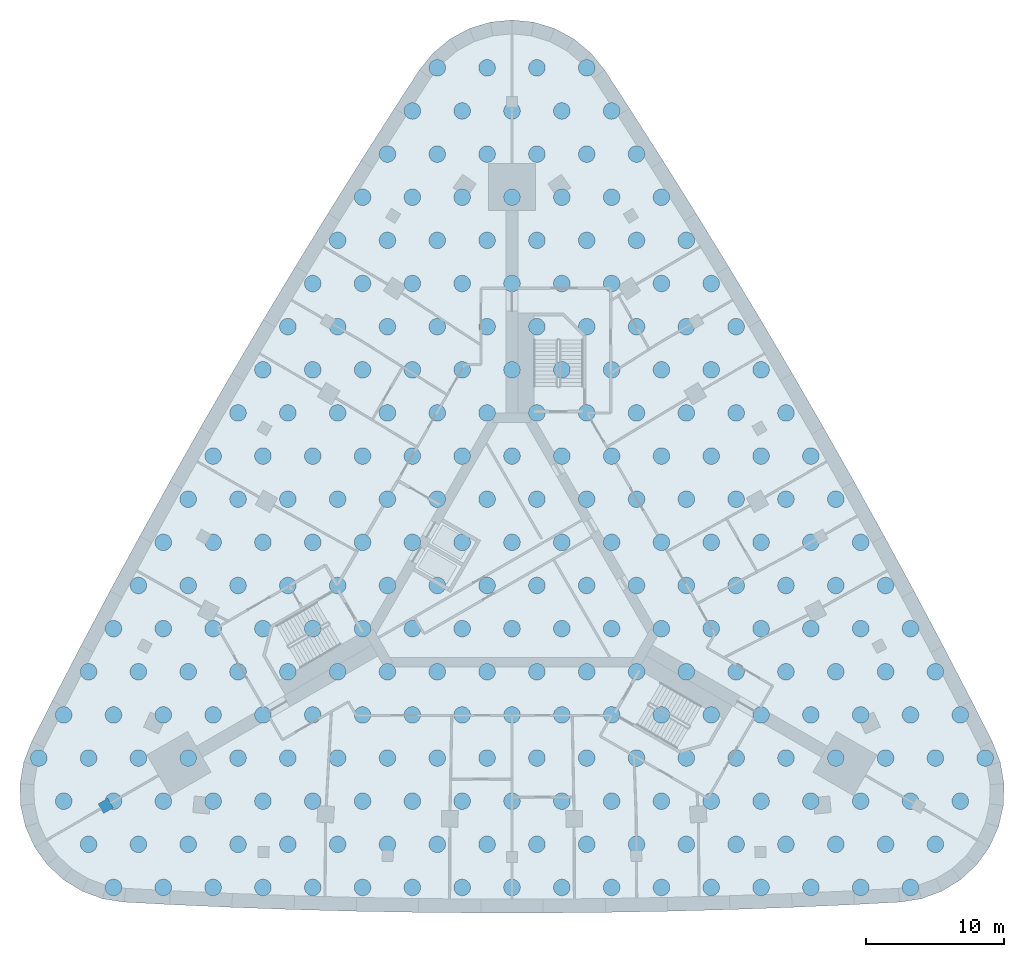
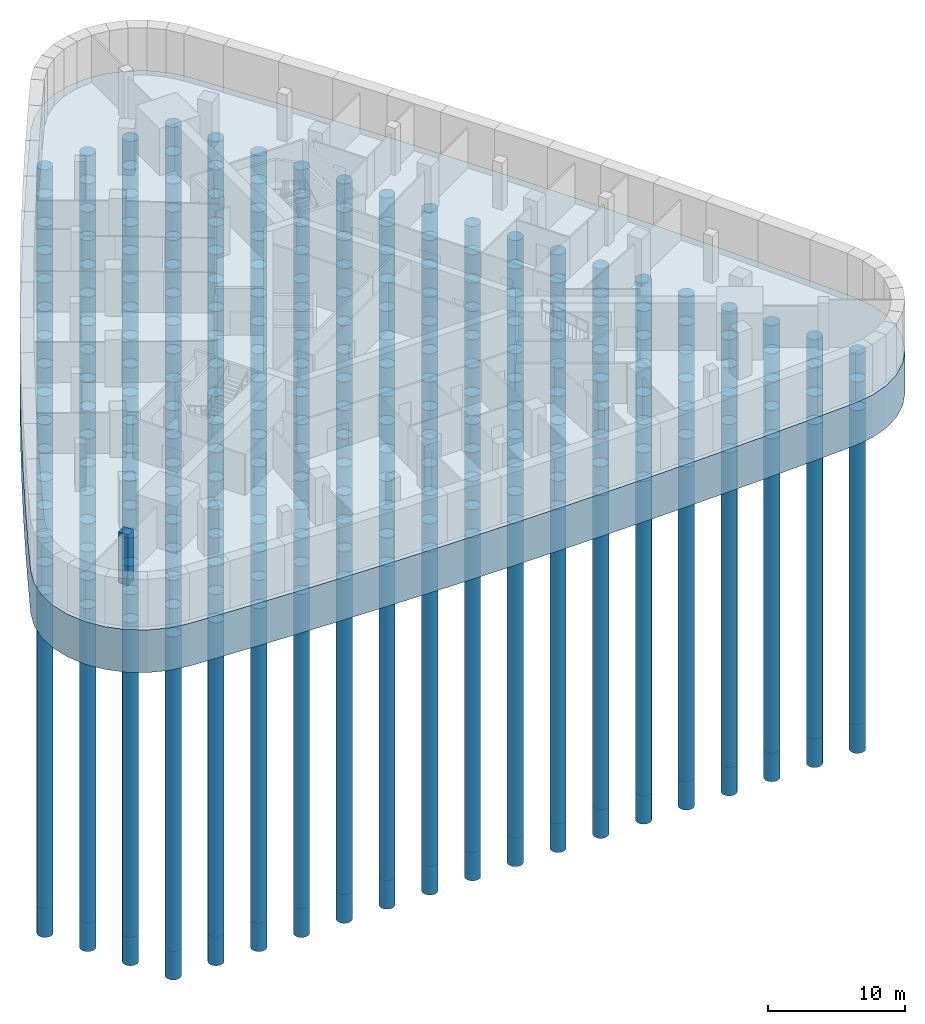
# One storey, part 1 of 9: 258 piles, 1 column, 1 footing.
"""IFC4 building model written with IfcOpenShell, lengths in metres."""

from ifc_helpers import new_model, si_unit, direction, frame, origin, origin_2d, place, context, subcontext, project, spatial, polyline, rectangle, circle, outline, extrude, material, layer, layer_set, material_profile, profile_set, type_object, element, save


model = new_model("IFC4")

# Units and contexts
model_context = context("Model", 3, precision=1e-05, world=origin(), true_north=direction((0.0, 1.0)))
body_context = subcontext(model_context, "Body", "Model", "MODEL_VIEW")
ifc_project = project(units=[si_unit("LENGTHUNIT", "METRE"), si_unit("AREAUNIT", "SQUARE_METRE"), si_unit("VOLUMEUNIT", "CUBIC_METRE"), si_unit("PLANEANGLEUNIT", "RADIAN"), si_unit("MASSUNIT", "GRAM", prefix="KILO")], contexts=[model_context])

# Site, building, storey
site_placement = place(None, origin())
site = spatial("IfcSite", under=ifc_project, at=site_placement, CompositionType="ELEMENT")
building_placement = place(site_placement, origin())
building = spatial("IfcBuilding", under=site, at=building_placement, Name="Noor Cloister Tower", CompositionType="ELEMENT")
storey_placement = place(building_placement, frame((0.0, 0.0, -9.0)))
storey = spatial("IfcBuildingStorey", under=building, at=storey_placement, Name="B2", CompositionType="ELEMENT", Elevation=-9.0)

# Piles
ifc_material_1 = material(Name="Concrete C50/60", Category="concrete")
ifc_material_profile_1 = material_profile(ifc_material_1, circle(Radius=0.60009765625, at=origin_2d()), Name="Bored pile 1200")
ifc_profile_set_1 = profile_set([ifc_material_profile_1], Name="Concrete C50/60")
pile_type = type_object("IfcPileType", Name="Bored pile 1200", PredefinedType="BORED", material=ifc_profile_set_1)
for number, where, z_axis, x_axis, name in (
    (1, (-28.800048828125, -22.85009765625, -4.0), (0.0, 0.0, -1.0), (1.0, 0.0, 0.0), "Pile 001"),
    (2, (-25.199951171875, -22.85009765625, -4.0), (0.0, 0.0, -1.0), (1.0, 0.0, 0.0), "Pile 002"),
    (3, (-21.60009765625, -22.85009765625, -4.0), (0.0, 0.0, -1.0), (1.0, 0.0, 0.0), "Pile 003"),
    (4, (-18.0, -22.85009765625, -4.0), (0.0, 0.0, -1.0), (1.0, 0.0, 0.0), "Pile 004"),
    (5, (-14.39990234375, -22.85009765625, -4.0), (0.0, 0.0, -1.0), (1.0, 0.0, 0.0), "Pile 005"),
    (6, (-10.800048828125, -22.85009765625, -4.0), (0.0, 0.0, -1.0), (1.0, 0.0, 0.0), "Pile 006"),
    (7, (-7.199951171875, -22.85009765625, -4.0), (0.0, 0.0, -1.0), (1.0, 0.0, 0.0), "Pile 007"),
    (8, (-3.60009765625, -22.85009765625, -4.0), (0.0, 0.0, -1.0), (1.0, 0.0, 0.0), "Pile 008"),
    (9, (0.0, -22.85009765625, -4.0), (0.0, 0.0, -1.0), (1.0, 0.0, 0.0), "Pile 009"),
    (10, (3.60009765625, -22.85009765625, -4.0), (0.0, 0.0, -1.0), (1.0, 0.0, 0.0), "Pile 010"),
    (11, (7.199951171875, -22.85009765625, -4.0), (0.0, 0.0, -1.0), (1.0, 0.0, 0.0), "Pile 011"),
    (12, (10.800048828125, -22.85009765625, -4.0), (0.0, 0.0, -1.0), (1.0, 0.0, 0.0), "Pile 012"),
    (13, (14.39990234375, -22.85009765625, -4.0), (0.0, 0.0, -1.0), (1.0, 0.0, 0.0), "Pile 013"),
    (14, (18.0, -22.85009765625, -4.0), (0.0, 0.0, -1.0), (1.0, 0.0, 0.0), "Pile 014"),
    (15, (21.60009765625, -22.85009765625, -4.0), (0.0, 0.0, -1.0), (1.0, 0.0, 0.0), "Pile 015"),
    (16, (25.199951171875, -22.85009765625, -4.0), (0.0, 0.0, -1.0), (1.0, 0.0, 0.0), "Pile 016"),
    (17, (28.800048828125, -22.85009765625, -4.0), (0.0, 0.0, -1.0), (1.0, 0.0, 0.0), "Pile 017"),
    (18, (-30.60009765625, -19.73193359375, -4.0), (0.0, 0.0, -1.0), (1.0, 0.0, 0.0), "Pile 018"),
    (19, (-27.0, -19.73193359375, -4.0), (0.0, 0.0, -1.0), (1.0, 0.0, 0.0), "Pile 019"),
    (20, (-23.39990234375, -19.73193359375, -4.0), (0.0, 0.0, -1.0), (1.0, 0.0, 0.0), "Pile 020"),
    (21, (-19.800048828125, -19.73193359375, -4.0), (0.0, 0.0, -1.0), (1.0, 0.0, 0.0), "Pile 021"),
    (22, (-16.199951171875, -19.73193359375, -4.0), (0.0, 0.0, -1.0), (1.0, 0.0, 0.0), "Pile 022"),
    (23, (-12.60009765625, -19.73193359375, -4.0), (0.0, 0.0, -1.0), (1.0, 0.0, 0.0), "Pile 023"),
    (24, (-9.0, -19.73193359375, -4.0), (0.0, 0.0, -1.0), (1.0, 0.0, 0.0), "Pile 024"),
    (25, (-5.39990234375, -19.73193359375, -4.0), (0.0, 0.0, -1.0), (1.0, 0.0, 0.0), "Pile 025"),
    (26, (-1.800048828125, -19.73193359375, -4.0), (0.0, 0.0, -1.0), (1.0, 0.0, 0.0), "Pile 026"),
    (27, (1.800048828125, -19.73193359375, -4.0), (0.0, 0.0, -1.0), (1.0, 0.0, 0.0), "Pile 027"),
    (28, (5.39990234375, -19.73193359375, -4.0), (0.0, 0.0, -1.0), (1.0, 0.0, 0.0), "Pile 028"),
    (29, (9.0, -19.73193359375, -4.0), (0.0, 0.0, -1.0), (1.0, 0.0, 0.0), "Pile 029"),
    (30, (12.60009765625, -19.73193359375, -4.0), (0.0, 0.0, -1.0), (1.0, 0.0, 0.0), "Pile 030"),
    (31, (16.199951171875, -19.73193359375, -4.0), (0.0, 0.0, -1.0), (1.0, 0.0, 0.0), "Pile 031"),
    (32, (19.800048828125, -19.73193359375, -4.0), (0.0, 0.0, -1.0), (1.0, 0.0, 0.0), "Pile 032"),
    (33, (23.39990234375, -19.73193359375, -4.0), (0.0, 0.0, -1.0), (1.0, 0.0, 0.0), "Pile 033"),
    (34, (27.0, -19.73193359375, -4.0), (0.0, 0.0, -1.0), (1.0, 0.0, 0.0), "Pile 034"),
    (35, (30.60009765625, -19.73193359375, -4.0), (0.0, 0.0, -1.0), (1.0, 0.0, 0.0), "Pile 035"),
    (36, (-32.39990234375, -16.614013671875, -4.0), (0.0, 0.0, -1.0), (1.0, 0.0, 0.0), "Pile 036"),
    (37, (-28.800048828125, -16.614013671875, -4.0), (0.0, 0.0, -1.0), (1.0, 0.0, 0.0), "Pile 037"),
    (38, (-25.199951171875, -16.614013671875, -4.0), (0.0, 0.0, -1.0), (1.0, 0.0, 0.0), "Pile 038"),
    (39, (-21.60009765625, -16.614013671875, -4.0), (0.0, 0.0, -1.0), (1.0, 0.0, 0.0), "Pile 039"),
    (40, (-18.0, -16.614013671875, -4.0), (0.0, 0.0, -1.0), (1.0, 0.0, 0.0), "Pile 040"),
    (41, (-14.39990234375, -16.614013671875, -4.0), (0.0, 0.0, -1.0), (1.0, 0.0, 0.0), "Pile 041"),
    (42, (-10.800048828125, -16.614013671875, -4.0), (0.0, 0.0, -1.0), (1.0, 0.0, 0.0), "Pile 042"),
    (43, (-7.199951171875, -16.614013671875, -4.0), (0.0, 0.0, -1.0), (1.0, 0.0, 0.0), "Pile 043"),
    (44, (-3.60009765625, -16.614013671875, -4.0), (0.0, 0.0, -1.0), (1.0, 0.0, 0.0), "Pile 044"),
    (45, (0.0, -16.614013671875, -4.0), (0.0, 0.0, -1.0), (1.0, 0.0, 0.0), "Pile 045"),
    (46, (3.60009765625, -16.614013671875, -4.0), (0.0, 0.0, -1.0), (1.0, 0.0, 0.0), "Pile 046"),
    (47, (7.199951171875, -16.614013671875, -4.0), (0.0, 0.0, -1.0), (1.0, 0.0, 0.0), "Pile 047"),
    (48, (10.800048828125, -16.614013671875, -4.0), (0.0, 0.0, -1.0), (1.0, 0.0, 0.0), "Pile 048"),
    (49, (14.39990234375, -16.614013671875, -4.0), (0.0, 0.0, -1.0), (1.0, 0.0, 0.0), "Pile 049"),
    (50, (18.0, -16.614013671875, -4.0), (0.0, 0.0, -1.0), (1.0, 0.0, 0.0), "Pile 050"),
    (51, (21.60009765625, -16.614013671875, -4.0), (0.0, 0.0, -1.0), (1.0, 0.0, 0.0), "Pile 051"),
    (52, (25.199951171875, -16.614013671875, -4.0), (0.0, 0.0, -1.0), (1.0, 0.0, 0.0), "Pile 052"),
    (53, (28.800048828125, -16.614013671875, -4.0), (0.0, 0.0, -1.0), (1.0, 0.0, 0.0), "Pile 053"),
    (54, (32.39990234375, -16.614013671875, -4.0), (0.0, 0.0, -1.0), (1.0, 0.0, 0.0), "Pile 054"),
    (55, (-34.199951171875, -13.4970703125, -4.0), (0.0, 0.0, -1.0), (1.0, 0.0, 0.0), "Pile 055"),
    (56, (-30.60009765625, -13.4970703125, -4.0), (0.0, 0.0, -1.0), (1.0, 0.0, 0.0), "Pile 056"),
    (57, (-27.0, -13.4970703125, -4.0), (0.0, 0.0, -1.0), (1.0, 0.0, 0.0), "Pile 057"),
    (58, (-23.39990234375, -13.4970703125, -4.0), (0.0, 0.0, -1.0), (1.0, 0.0, 0.0), "Pile 058"),
    (59, (-19.800048828125, -13.4970703125, -4.0), (0.0, 0.0, -1.0), (1.0, 0.0, 0.0), "Pile 059"),
    (60, (-16.199951171875, -13.4970703125, -4.0), (0.0, 0.0, -1.0), (1.0, 0.0, 0.0), "Pile 060"),
    (61, (-12.60009765625, -13.4970703125, -4.0), (0.0, 0.0, -1.0), (1.0, 0.0, 0.0), "Pile 061"),
    (62, (-9.0, -13.4970703125, -4.0), (0.0, 0.0, -1.0), (1.0, 0.0, 0.0), "Pile 062"),
    (63, (-5.39990234375, -13.4970703125, -4.0), (0.0, 0.0, -1.0), (1.0, 0.0, 0.0), "Pile 063"),
    (64, (-1.800048828125, -13.4970703125, -4.0), (0.0, 0.0, -1.0), (1.0, 0.0, 0.0), "Pile 064"),
    (65, (1.800048828125, -13.4970703125, -4.0), (0.0, 0.0, -1.0), (1.0, 0.0, 0.0), "Pile 065"),
    (66, (5.39990234375, -13.4970703125, -4.0), (0.0, 0.0, -1.0), (1.0, 0.0, 0.0), "Pile 066"),
    (67, (9.0, -13.4970703125, -4.0), (0.0, 0.0, -1.0), (1.0, 0.0, 0.0), "Pile 067"),
    (68, (12.60009765625, -13.4970703125, -4.0), (0.0, 0.0, -1.0), (1.0, 0.0, 0.0), "Pile 068"),
    (69, (16.199951171875, -13.4970703125, -4.0), (0.0, 0.0, -1.0), (1.0, 0.0, 0.0), "Pile 069"),
    (70, (19.800048828125, -13.4970703125, -4.0), (0.0, 0.0, -1.0), (1.0, 0.0, 0.0), "Pile 070"),
    (71, (23.39990234375, -13.4970703125, -4.0), (0.0, 0.0, -1.0), (1.0, 0.0, 0.0), "Pile 071"),
    (72, (27.0, -13.4970703125, -4.0), (0.0, 0.0, -1.0), (1.0, 0.0, 0.0), "Pile 072"),
    (73, (30.60009765625, -13.4970703125, -4.0), (0.0, 0.0, -1.0), (1.0, 0.0, 0.0), "Pile 073"),
    (74, (34.199951171875, -13.4970703125, -4.0), (0.0, 0.0, -1.0), (1.0, 0.0, 0.0), "Pile 074"),
    (75, (-32.39990234375, -10.37890625, -4.0), (0.0, 0.0, -1.0), (1.0, 0.0, 0.0), "Pile 075"),
    (76, (-28.800048828125, -10.37890625, -4.0), (0.0, 0.0, -1.0), (1.0, 0.0, 0.0), "Pile 076"),
    (77, (-25.199951171875, -10.37890625, -4.0), (0.0, 0.0, -1.0), (1.0, 0.0, 0.0), "Pile 077"),
    (78, (-21.60009765625, -10.37890625, -4.0), (0.0, 0.0, -1.0), (1.0, 0.0, 0.0), "Pile 078"),
    (79, (-18.0, -10.37890625, -4.0), (0.0, 0.0, -1.0), (1.0, 0.0, 0.0), "Pile 079"),
    (80, (-14.39990234375, -10.37890625, -4.0), (0.0, 0.0, -1.0), (1.0, 0.0, 0.0), "Pile 080"),
    (81, (-10.800048828125, -10.37890625, -4.0), (0.0, 0.0, -1.0), (1.0, 0.0, 0.0), "Pile 081"),
    (82, (-7.199951171875, -10.37890625, -4.0), (0.0, 0.0, -1.0), (1.0, 0.0, 0.0), "Pile 082"),
    (83, (-3.60009765625, -10.37890625, -4.0), (0.0, 0.0, -1.0), (1.0, 0.0, 0.0), "Pile 083"),
    (84, (0.0, -10.37890625, -4.0), (0.0, 0.0, -1.0), (1.0, 0.0, 0.0), "Pile 084"),
    (85, (3.60009765625, -10.37890625, -4.0), (0.0, 0.0, -1.0), (1.0, 0.0, 0.0), "Pile 085"),
    (86, (7.199951171875, -10.37890625, -4.0), (0.0, 0.0, -1.0), (1.0, 0.0, 0.0), "Pile 086"),
    (87, (10.800048828125, -10.37890625, -4.0), (0.0, 0.0, -1.0), (1.0, 0.0, 0.0), "Pile 087"),
    (88, (14.39990234375, -10.37890625, -4.0), (0.0, 0.0, -1.0), (1.0, 0.0, 0.0), "Pile 088"),
    (89, (18.0, -10.37890625, -4.0), (0.0, 0.0, -1.0), (1.0, 0.0, 0.0), "Pile 089"),
    (90, (21.60009765625, -10.37890625, -4.0), (0.0, 0.0, -1.0), (1.0, 0.0, 0.0), "Pile 090"),
    (91, (25.199951171875, -10.37890625, -4.0), (0.0, 0.0, -1.0), (1.0, 0.0, 0.0), "Pile 091"),
    (92, (28.800048828125, -10.37890625, -4.0), (0.0, 0.0, -1.0), (1.0, 0.0, 0.0), "Pile 092"),
    (93, (32.39990234375, -10.37890625, -4.0), (0.0, 0.0, -1.0), (1.0, 0.0, 0.0), "Pile 093"),
    (94, (-30.60009765625, -7.260986328125, -4.0), (0.0, 0.0, -1.0), (1.0, 0.0, 0.0), "Pile 094"),
    (95, (-27.0, -7.260986328125, -4.0), (0.0, 0.0, -1.0), (1.0, 0.0, 0.0), "Pile 095"),
    (96, (-23.39990234375, -7.260986328125, -4.0), (0.0, 0.0, -1.0), (1.0, 0.0, 0.0), "Pile 096"),
    (97, (-19.800048828125, -7.260986328125, -4.0), (0.0, 0.0, -1.0), (1.0, 0.0, 0.0), "Pile 097"),
    (98, (-16.199951171875, -7.260986328125, -4.0), (0.0, 0.0, -1.0), (1.0, 0.0, 0.0), "Pile 098"),
    (99, (-12.60009765625, -7.260986328125, -4.0), (0.0, 0.0, -1.0), (1.0, 0.0, 0.0), "Pile 099"),
    (100, (-9.0, -7.260986328125, -4.0), (0.0, 0.0, -1.0), (1.0, 0.0, 0.0), "Pile 100"),
    (101, (-5.39990234375, -7.260986328125, -4.0), (0.0, 0.0, -1.0), (1.0, 0.0, 0.0), "Pile 101"),
    (102, (-1.800048828125, -7.260986328125, -4.0), (0.0, 0.0, -1.0), (1.0, 0.0, 0.0), "Pile 102"),
    (103, (1.800048828125, -7.260986328125, -4.0), (0.0, 0.0, -1.0), (1.0, 0.0, 0.0), "Pile 103"),
    (104, (5.39990234375, -7.260986328125, -4.0), (0.0, 0.0, -1.0), (1.0, 0.0, 0.0), "Pile 104"),
    (105, (9.0, -7.260986328125, -4.0), (0.0, 0.0, -1.0), (1.0, 0.0, 0.0), "Pile 105"),
    (106, (12.60009765625, -7.260986328125, -4.0), (0.0, 0.0, -1.0), (1.0, 0.0, 0.0), "Pile 106"),
    (107, (16.199951171875, -7.260986328125, -4.0), (0.0, 0.0, -1.0), (1.0, 0.0, 0.0), "Pile 107"),
    (108, (19.800048828125, -7.260986328125, -4.0), (0.0, 0.0, -1.0), (1.0, 0.0, 0.0), "Pile 108"),
    (109, (23.39990234375, -7.260986328125, -4.0), (0.0, 0.0, -1.0), (1.0, 0.0, 0.0), "Pile 109"),
    (110, (27.0, -7.260986328125, -4.0), (0.0, 0.0, -1.0), (1.0, 0.0, 0.0), "Pile 110"),
    (111, (30.60009765625, -7.260986328125, -4.0), (0.0, 0.0, -1.0), (1.0, 0.0, 0.0), "Pile 111"),
    (112, (-28.800048828125, -4.14404296875, -4.0), (0.0, 0.0, -1.0), (1.0, 0.0, 0.0), "Pile 112"),
    (113, (-25.199951171875, -4.14404296875, -4.0), (0.0, 0.0, -1.0), (1.0, 0.0, 0.0), "Pile 113"),
    (114, (-21.60009765625, -4.14404296875, -4.0), (0.0, 0.0, -1.0), (1.0, 0.0, 0.0), "Pile 114"),
    (115, (-18.0, -4.14404296875, -4.0), (0.0, 0.0, -1.0), (1.0, 0.0, 0.0), "Pile 115"),
    (116, (-14.39990234375, -4.14404296875, -4.0), (0.0, 0.0, -1.0), (1.0, 0.0, 0.0), "Pile 116"),
    (117, (-10.800048828125, -4.14404296875, -4.0), (0.0, 0.0, -1.0), (1.0, 0.0, 0.0), "Pile 117"),
    (118, (-7.199951171875, -4.14404296875, -4.0), (0.0, 0.0, -1.0), (1.0, 0.0, 0.0), "Pile 118"),
    (119, (-3.60009765625, -4.14404296875, -4.0), (0.0, 0.0, -1.0), (1.0, 0.0, 0.0), "Pile 119"),
    (120, (0.0, -4.14404296875, -4.0), (0.0, 0.0, -1.0), (1.0, 0.0, 0.0), "Pile 120"),
    (121, (3.60009765625, -4.14404296875, -4.0), (0.0, 0.0, -1.0), (1.0, 0.0, 0.0), "Pile 121"),
    (122, (7.199951171875, -4.14404296875, -4.0), (0.0, 0.0, -1.0), (1.0, 0.0, 0.0), "Pile 122"),
    (123, (10.800048828125, -4.14404296875, -4.0), (0.0, 0.0, -1.0), (1.0, 0.0, 0.0), "Pile 123"),
    (124, (14.39990234375, -4.14404296875, -4.0), (0.0, 0.0, -1.0), (1.0, 0.0, 0.0), "Pile 124"),
    (125, (18.0, -4.14404296875, -4.0), (0.0, 0.0, -1.0), (1.0, 0.0, 0.0), "Pile 125"),
    (126, (21.60009765625, -4.14404296875, -4.0), (0.0, 0.0, -1.0), (1.0, 0.0, 0.0), "Pile 126"),
    (127, (25.199951171875, -4.14404296875, -4.0), (0.0, 0.0, -1.0), (1.0, 0.0, 0.0), "Pile 127"),
    (128, (28.800048828125, -4.14404296875, -4.0), (0.0, 0.0, -1.0), (1.0, 0.0, 0.0), "Pile 128"),
    (129, (-27.0, -1.02587890625, -4.0), (0.0, 0.0, -1.0), (1.0, 0.0, 0.0), "Pile 129"),
    (130, (-23.39990234375, -1.02587890625, -4.0), (0.0, 0.0, -1.0), (1.0, 0.0, 0.0), "Pile 130"),
    (131, (-19.800048828125, -1.02587890625, -4.0), (0.0, 0.0, -1.0), (1.0, 0.0, 0.0), "Pile 131"),
    (132, (-16.199951171875, -1.02587890625, -4.0), (0.0, 0.0, -1.0), (1.0, 0.0, 0.0), "Pile 132"),
    (133, (-12.60009765625, -1.02587890625, -4.0), (0.0, 0.0, -1.0), (1.0, 0.0, 0.0), "Pile 133"),
    (134, (-9.0, -1.02587890625, -4.0), (0.0, 0.0, -1.0), (1.0, 0.0, 0.0), "Pile 134"),
    (135, (-5.39990234375, -1.02587890625, -4.0), (0.0, 0.0, -1.0), (1.0, 0.0, 0.0), "Pile 135"),
    (136, (-1.800048828125, -1.02587890625, -4.0), (0.0, 0.0, -1.0), (1.0, 0.0, 0.0), "Pile 136"),
    (137, (1.800048828125, -1.02587890625, -4.0), (0.0, 0.0, -1.0), (1.0, 0.0, 0.0), "Pile 137"),
    (138, (5.39990234375, -1.02587890625, -4.0), (0.0, 0.0, -1.0), (1.0, 0.0, 0.0), "Pile 138"),
    (139, (9.0, -1.02587890625, -4.0), (0.0, 0.0, -1.0), (1.0, 0.0, 0.0), "Pile 139"),
    (140, (12.60009765625, -1.02587890625, -4.0), (0.0, 0.0, -1.0), (1.0, 0.0, 0.0), "Pile 140"),
    (141, (16.199951171875, -1.02587890625, -4.0), (0.0, 0.0, -1.0), (1.0, 0.0, 0.0), "Pile 141"),
    (142, (19.800048828125, -1.02587890625, -4.0), (0.0, 0.0, -1.0), (1.0, 0.0, 0.0), "Pile 142"),
    (143, (23.39990234375, -1.02587890625, -4.0), (0.0, 0.0, -1.0), (1.0, 0.0, 0.0), "Pile 143"),
    (144, (27.0, -1.02587890625, -4.0), (0.0, 0.0, -1.0), (1.0, 0.0, 0.0), "Pile 144"),
    (145, (-25.199951171875, 2.092041015625, -4.0), (0.0, 0.0, -1.0), (1.0, 0.0, 0.0), "Pile 145"),
    (146, (-21.60009765625, 2.092041015625, -4.0), (0.0, 0.0, -1.0), (1.0, 0.0, 0.0), "Pile 146"),
    (147, (-18.0, 2.092041015625, -4.0), (0.0, 0.0, -1.0), (1.0, 0.0, 0.0), "Pile 147"),
    (148, (-14.39990234375, 2.092041015625, -4.0), (0.0, 0.0, -1.0), (1.0, 0.0, 0.0), "Pile 148"),
    (149, (-10.800048828125, 2.092041015625, -4.0), (0.0, 0.0, -1.0), (1.0, 0.0, 0.0), "Pile 149"),
    (150, (-7.199951171875, 2.092041015625, -4.0), (0.0, 0.0, -1.0), (1.0, 0.0, 0.0), "Pile 150"),
    (151, (-3.60009765625, 2.092041015625, -4.0), (0.0, 0.0, -1.0), (1.0, 0.0, 0.0), "Pile 151"),
    (152, (0.0, 2.092041015625, -4.0), (0.0, 0.0, -1.0), (1.0, 0.0, 0.0), "Pile 152"),
    (153, (3.60009765625, 2.092041015625, -4.0), (0.0, 0.0, -1.0), (1.0, 0.0, 0.0), "Pile 153"),
    (154, (7.199951171875, 2.092041015625, -4.0), (0.0, 0.0, -1.0), (1.0, 0.0, 0.0), "Pile 154"),
    (155, (10.800048828125, 2.092041015625, -4.0), (0.0, 0.0, -1.0), (1.0, 0.0, 0.0), "Pile 155"),
    (156, (14.39990234375, 2.092041015625, -4.0), (0.0, 0.0, -1.0), (1.0, 0.0, 0.0), "Pile 156"),
    (157, (18.0, 2.092041015625, -4.0), (0.0, 0.0, -1.0), (1.0, 0.0, 0.0), "Pile 157"),
    (158, (21.60009765625, 2.092041015625, -4.0), (0.0, 0.0, -1.0), (1.0, 0.0, 0.0), "Pile 158"),
    (159, (25.199951171875, 2.092041015625, -4.0), (0.0, 0.0, -1.0), (1.0, 0.0, 0.0), "Pile 159"),
    (160, (-23.39990234375, 5.208984375, -4.0), (0.0, 0.0, -1.0), (1.0, 0.0, 0.0), "Pile 160"),
    (161, (-19.800048828125, 5.208984375, -4.0), (0.0, 0.0, -1.0), (1.0, 0.0, 0.0), "Pile 161"),
    (162, (-16.199951171875, 5.208984375, -4.0), (0.0, 0.0, -1.0), (1.0, 0.0, 0.0), "Pile 162"),
    (163, (-12.60009765625, 5.208984375, -4.0), (0.0, 0.0, -1.0), (1.0, 0.0, 0.0), "Pile 163"),
    (164, (-9.0, 5.208984375, -4.0), (0.0, 0.0, -1.0), (1.0, 0.0, 0.0), "Pile 164"),
    (165, (-5.39990234375, 5.208984375, -4.0), (0.0, 0.0, -1.0), (1.0, 0.0, 0.0), "Pile 165"),
    (166, (-1.800048828125, 5.208984375, -4.0), (0.0, 0.0, -1.0), (1.0, 0.0, 0.0), "Pile 166"),
    (167, (1.800048828125, 5.208984375, -4.0), (0.0, 0.0, -1.0), (1.0, 0.0, 0.0), "Pile 167"),
    (168, (5.39990234375, 5.208984375, -4.0), (0.0, 0.0, -1.0), (1.0, 0.0, 0.0), "Pile 168"),
    (169, (9.0, 5.208984375, -4.0), (0.0, 0.0, -1.0), (1.0, 0.0, 0.0), "Pile 169"),
    (170, (12.60009765625, 5.208984375, -4.0), (0.0, 0.0, -1.0), (1.0, 0.0, 0.0), "Pile 170"),
    (171, (16.199951171875, 5.208984375, -4.0), (0.0, 0.0, -1.0), (1.0, 0.0, 0.0), "Pile 171"),
    (172, (19.800048828125, 5.208984375, -4.0), (0.0, 0.0, -1.0), (1.0, 0.0, 0.0), "Pile 172"),
    (173, (23.39990234375, 5.208984375, -4.0), (0.0, 0.0, -1.0), (1.0, 0.0, 0.0), "Pile 173"),
    (174, (-21.60009765625, 8.326904296875, -4.0), (0.0, 0.0, -1.0), (1.0, 0.0, 0.0), "Pile 174"),
    (175, (-18.0, 8.326904296875, -4.0), (0.0, 0.0, -1.0), (1.0, 0.0, 0.0), "Pile 175"),
    (176, (-14.39990234375, 8.326904296875, -4.0), (0.0, 0.0, -1.0), (1.0, 0.0, 0.0), "Pile 176"),
    (177, (-10.800048828125, 8.326904296875, -4.0), (0.0, 0.0, -1.0), (1.0, 0.0, 0.0), "Pile 177"),
    (178, (-7.199951171875, 8.326904296875, -4.0), (0.0, 0.0, -1.0), (1.0, 0.0, 0.0), "Pile 178"),
    (179, (-3.60009765625, 8.326904296875, -4.0), (0.0, 0.0, -1.0), (1.0, 0.0, 0.0), "Pile 179"),
    (180, (0.0, 8.326904296875, -4.0), (0.0, 0.0, -1.0), (1.0, 0.0, 0.0), "Pile 180"),
    (181, (3.60009765625, 8.326904296875, -4.0), (0.0, 0.0, -1.0), (1.0, 0.0, 0.0), "Pile 181"),
    (182, (7.199951171875, 8.326904296875, -4.0), (0.0, 0.0, -1.0), (1.0, 0.0, 0.0), "Pile 182"),
    (183, (10.800048828125, 8.326904296875, -4.0), (0.0, 0.0, -1.0), (1.0, 0.0, 0.0), "Pile 183"),
    (184, (14.39990234375, 8.326904296875, -4.0), (0.0, 0.0, -1.0), (1.0, 0.0, 0.0), "Pile 184"),
    (185, (18.0, 8.326904296875, -4.0), (0.0, 0.0, -1.0), (1.0, 0.0, 0.0), "Pile 185"),
    (186, (21.60009765625, 8.326904296875, -4.0), (0.0, 0.0, -1.0), (1.0, 0.0, 0.0), "Pile 186"),
    (187, (-19.800048828125, 11.445068359375, -4.0), (0.0, 0.0, -1.0), (1.0, 0.0, 0.0), "Pile 187"),
    (188, (-16.199951171875, 11.445068359375, -4.0), (0.0, 0.0, -1.0), (1.0, 0.0, 0.0), "Pile 188"),
    (189, (-12.60009765625, 11.445068359375, -4.0), (0.0, 0.0, -1.0), (1.0, 0.0, 0.0), "Pile 189"),
    (190, (-9.0, 11.445068359375, -4.0), (0.0, 0.0, -1.0), (1.0, 0.0, 0.0), "Pile 190"),
    (191, (-5.39990234375, 11.445068359375, -4.0), (0.0, 0.0, -1.0), (1.0, 0.0, 0.0), "Pile 191"),
    (192, (-1.800048828125, 11.445068359375, -4.0), (0.0, 0.0, -1.0), (1.0, 0.0, 0.0), "Pile 192"),
    (193, (1.800048828125, 11.445068359375, -4.0), (0.0, 0.0, -1.0), (1.0, 0.0, 0.0), "Pile 193"),
    (194, (5.39990234375, 11.445068359375, -4.0), (0.0, 0.0, -1.0), (1.0, 0.0, 0.0), "Pile 194"),
    (195, (9.0, 11.445068359375, -4.0), (0.0, 0.0, -1.0), (1.0, 0.0, 0.0), "Pile 195"),
    (196, (12.60009765625, 11.445068359375, -4.0), (0.0, 0.0, -1.0), (1.0, 0.0, 0.0), "Pile 196"),
    (197, (16.199951171875, 11.445068359375, -4.0), (0.0, 0.0, -1.0), (1.0, 0.0, 0.0), "Pile 197"),
    (198, (19.800048828125, 11.445068359375, -4.0), (0.0, 0.0, -1.0), (1.0, 0.0, 0.0), "Pile 198"),
    (199, (-18.0, 14.56298828125, -4.0), (0.0, 0.0, -1.0), (1.0, 0.0, 0.0), "Pile 199"),
    (200, (-14.39990234375, 14.56298828125, -4.0), (0.0, 0.0, -1.0), (1.0, 0.0, 0.0), "Pile 200"),
    (201, (-10.800048828125, 14.56298828125, -4.0), (0.0, 0.0, -1.0), (1.0, 0.0, 0.0), "Pile 201"),
    (202, (-7.199951171875, 14.56298828125, -4.0), (0.0, 0.0, -1.0), (1.0, 0.0, 0.0), "Pile 202"),
    (203, (-3.60009765625, 14.56298828125, -4.0), (0.0, 0.0, -1.0), (1.0, 0.0, 0.0), "Pile 203"),
    (204, (0.0, 14.56298828125, -4.0), (0.0, 0.0, -1.0), (1.0, 0.0, 0.0), "Pile 204"),
    (205, (3.60009765625, 14.56298828125, -4.0), (0.0, 0.0, -1.0), (1.0, 0.0, 0.0), "Pile 205"),
    (206, (7.199951171875, 14.56298828125, -4.0), (0.0, 0.0, -1.0), (1.0, 0.0, 0.0), "Pile 206"),
    (207, (10.800048828125, 14.56298828125, -4.0), (0.0, 0.0, -1.0), (1.0, 0.0, 0.0), "Pile 207"),
    (208, (14.39990234375, 14.56298828125, -4.0), (0.0, 0.0, -1.0), (1.0, 0.0, 0.0), "Pile 208"),
    (209, (18.0, 14.56298828125, -4.0), (0.0, 0.0, -1.0), (1.0, 0.0, 0.0), "Pile 209"),
    (210, (-16.199951171875, 17.679931640625, -4.0), (0.0, 0.0, -1.0), (1.0, 0.0, 0.0), "Pile 210"),
    (211, (-12.60009765625, 17.679931640625, -4.0), (0.0, 0.0, -1.0), (1.0, 0.0, 0.0), "Pile 211"),
    (212, (-9.0, 17.679931640625, -4.0), (0.0, 0.0, -1.0), (1.0, 0.0, 0.0), "Pile 212"),
    (213, (-5.39990234375, 17.679931640625, -4.0), (0.0, 0.0, -1.0), (1.0, 0.0, 0.0), "Pile 213"),
    (214, (-1.800048828125, 17.679931640625, -4.0), (0.0, 0.0, -1.0), (1.0, 0.0, 0.0), "Pile 214"),
    (215, (1.800048828125, 17.679931640625, -4.0), (0.0, 0.0, -1.0), (1.0, 0.0, 0.0), "Pile 215"),
    (216, (5.39990234375, 17.679931640625, -4.0), (0.0, 0.0, -1.0), (1.0, 0.0, 0.0), "Pile 216"),
    (217, (9.0, 17.679931640625, -4.0), (0.0, 0.0, -1.0), (1.0, 0.0, 0.0), "Pile 217"),
    (218, (12.60009765625, 17.679931640625, -4.0), (0.0, 0.0, -1.0), (1.0, 0.0, 0.0), "Pile 218"),
    (219, (16.199951171875, 17.679931640625, -4.0), (0.0, 0.0, -1.0), (1.0, 0.0, 0.0), "Pile 219"),
    (220, (-14.39990234375, 20.798095703125, -4.0), (0.0, 0.0, -1.0), (1.0, 0.0, 0.0), "Pile 220"),
    (221, (-10.800048828125, 20.798095703125, -4.0), (0.0, 0.0, -1.0), (1.0, 0.0, 0.0), "Pile 221"),
    (222, (-7.199951171875, 20.798095703125, -4.0), (0.0, 0.0, -1.0), (1.0, 0.0, 0.0), "Pile 222"),
    (223, (-3.60009765625, 20.798095703125, -4.0), (0.0, 0.0, -1.0), (1.0, 0.0, 0.0), "Pile 223"),
    (224, (0.0, 20.798095703125, -4.0), (0.0, 0.0, -1.0), (1.0, 0.0, 0.0), "Pile 224"),
    (225, (3.60009765625, 20.798095703125, -4.0), (0.0, 0.0, -1.0), (1.0, 0.0, 0.0), "Pile 225"),
    (226, (7.199951171875, 20.798095703125, -4.0), (0.0, 0.0, -1.0), (1.0, 0.0, 0.0), "Pile 226"),
    (227, (10.800048828125, 20.798095703125, -4.0), (0.0, 0.0, -1.0), (1.0, 0.0, 0.0), "Pile 227"),
    (228, (14.39990234375, 20.798095703125, -4.0), (0.0, 0.0, -1.0), (1.0, 0.0, 0.0), "Pile 228"),
    (229, (-12.60009765625, 23.916015625, -4.0), (0.0, 0.0, -1.0), (1.0, 0.0, 0.0), "Pile 229"),
    (230, (-9.0, 23.916015625, -4.0), (0.0, 0.0, -1.0), (1.0, 0.0, 0.0), "Pile 230"),
    (231, (-5.39990234375, 23.916015625, -4.0), (0.0, 0.0, -1.0), (1.0, 0.0, 0.0), "Pile 231"),
    (232, (-1.800048828125, 23.916015625, -4.0), (0.0, 0.0, -1.0), (1.0, 0.0, 0.0), "Pile 232"),
    (233, (1.800048828125, 23.916015625, -4.0), (0.0, 0.0, -1.0), (1.0, 0.0, 0.0), "Pile 233"),
    (234, (5.39990234375, 23.916015625, -4.0), (0.0, 0.0, -1.0), (1.0, 0.0, 0.0), "Pile 234"),
    (235, (9.0, 23.916015625, -4.0), (0.0, 0.0, -1.0), (1.0, 0.0, 0.0), "Pile 235"),
    (236, (12.60009765625, 23.916015625, -4.0), (0.0, 0.0, -1.0), (1.0, 0.0, 0.0), "Pile 236"),
    (237, (-10.800048828125, 27.032958984375, -4.0), (0.0, 0.0, -1.0), (1.0, 0.0, 0.0), "Pile 237"),
    (238, (-7.199951171875, 27.032958984375, -4.0), (0.0, 0.0, -1.0), (1.0, 0.0, 0.0), "Pile 238"),
    (239, (-3.60009765625, 27.032958984375, -4.0), (0.0, 0.0, -1.0), (1.0, 0.0, 0.0), "Pile 239"),
    (240, (0.0, 27.032958984375, -4.0), (0.0, 0.0, -1.0), (1.0, 0.0, 0.0), "Pile 240"),
    (241, (3.60009765625, 27.032958984375, -4.0), (0.0, 0.0, -1.0), (1.0, 0.0, 0.0), "Pile 241"),
    (242, (7.199951171875, 27.032958984375, -4.0), (0.0, 0.0, -1.0), (1.0, 0.0, 0.0), "Pile 242"),
    (243, (10.800048828125, 27.032958984375, -4.0), (0.0, 0.0, -1.0), (1.0, 0.0, 0.0), "Pile 243"),
    (244, (-9.0, 30.15087890625, -4.0), (0.0, 0.0, -1.0), (1.0, 0.0, 0.0), "Pile 244"),
    (245, (-5.39990234375, 30.15087890625, -4.0), (0.0, 0.0, -1.0), (1.0, 0.0, 0.0), "Pile 245"),
    (246, (-1.800048828125, 30.15087890625, -4.0), (0.0, 0.0, -1.0), (1.0, 0.0, 0.0), "Pile 246"),
    (247, (1.800048828125, 30.15087890625, -4.0), (0.0, 0.0, -1.0), (1.0, 0.0, 0.0), "Pile 247"),
    (248, (5.39990234375, 30.15087890625, -4.0), (0.0, 0.0, -1.0), (1.0, 0.0, 0.0), "Pile 248"),
    (249, (9.0, 30.15087890625, -4.0), (0.0, 0.0, -1.0), (1.0, 0.0, 0.0), "Pile 249"),
    (250, (-7.199951171875, 33.26904296875, -4.0), (0.0, 0.0, -1.0), (1.0, 0.0, 0.0), "Pile 250"),
    (251, (-3.60009765625, 33.26904296875, -4.0), (0.0, 0.0, -1.0), (1.0, 0.0, 0.0), "Pile 251"),
    (252, (0.0, 33.26904296875, -4.0), (0.0, 0.0, -1.0), (1.0, 0.0, 0.0), "Pile 252"),
    (253, (3.60009765625, 33.26904296875, -4.0), (0.0, 0.0, -1.0), (1.0, 0.0, 0.0), "Pile 253"),
    (254, (7.199951171875, 33.26904296875, -4.0), (0.0, 0.0, -1.0), (1.0, 0.0, 0.0), "Pile 254"),
    (255, (-5.39990234375, 36.385986328125, -4.0), (0.0, 0.0, -1.0), (1.0, 0.0, 0.0), "Pile 255"),
    (256, (-1.800048828125, 36.385986328125, -4.0), (0.0, 0.0, -1.0), (1.0, 0.0, 0.0), "Pile 256"),
    (257, (1.800048828125, 36.385986328125, -4.0), (0.0, 0.0, -1.0), (1.0, 0.0, 0.0), "Pile 257"),
    (258, (5.39990234375, 36.385986328125, -4.0), (0.0, 0.0, -1.0), (1.0, 0.0, 0.0), "Pile 258"),
):
    element("IfcPile", number, at=place(storey_placement, frame(where, z_axis=z_axis, x_axis=x_axis)), inside=storey, type_object=pile_type, Name=name, PredefinedType="BORED", context=body_context, shape_type="SweptSolid", body=[
        extrude(circle(Radius=0.60009765625, at=origin_2d()), origin(), (0.0, 0.0, 1.0), 28.0),
    ])

# Footing
ifc_material_2 = material(Name="Concrete C50/60", Category="concrete")
ifc_layer = layer(ifc_material_2, 3.800048828125)
ifc_layer_set = layer_set([ifc_layer], Name="Piled raft cap")
footing_type = type_object("IfcFootingType", Name="Piled raft cap", PredefinedType="PILE_CAP", material=ifc_layer_set)
footing_placement = place(storey_placement, frame((0.0, 0.0, -4.10009765625)))
element("IfcFooting", 259, at=footing_placement, inside=storey, type_object=footing_type, Name="Raft", PredefinedType="PILE_CAP", context=body_context, shape_type="SweptSolid", body=[
    extrude(outline(polyline([(6.693603515625, 36.22509765625), (5.699462890625, 37.45751953125), (4.482177734375, 38.469970703125), (3.08935546875, 39.222900390625), (1.57568359375, 39.686767578125), (0.0, 39.843505859375), (-1.57568359375, 39.686767578125), (-3.08935546875, 39.222900390625), (-4.482177734375, 38.469970703125), (-5.699462890625, 37.45751953125), (-6.693603515625, 36.22509765625), (-8.486083984375, 33.466796875), (-10.908935546875, 29.674560546875), (-13.29736328125, 25.86083984375), (-15.651611328125, 22.02587890625), (-17.971435546875, 18.169677734375), (-20.25634765625, 14.29296875), (-22.50634765625, 10.39599609375), (-24.72119140625, 6.478759765625), (-26.900634765625, 2.541748046875), (-29.044921875, -1.41455078125), (-31.1533203125, -5.389892578125), (-33.22607421875, -9.384033203125), (-34.718505859375, -12.315673828125), (-35.288818359375, -13.792724609375), (-35.55712890625, -15.353271484375), (-35.5126953125, -16.93603515625), (-35.15771484375, -18.47900390625), (-34.505615234375, -19.921875), (-33.58203125, -21.2080078125), (-32.42333984375, -22.287109375), (-31.074951171875, -23.11669921875), (-29.58935546875, -23.66455078125), (-28.02490234375, -23.9091796875), (-24.739990234375, -24.08251953125), (-20.244384765625, -24.28466796875), (-15.747314453125, -24.4462890625), (-11.2490234375, -24.567626953125), (-6.749755859375, -24.6484375), (-2.25, -24.68896484375), (2.25, -24.68896484375), (6.749755859375, -24.6484375), (11.2490234375, -24.567626953125), (15.747314453125, -24.4462890625), (20.244384765625, -24.28466796875), (24.739990234375, -24.08251953125), (28.02490234375, -23.9091796875), (29.58935546875, -23.66455078125), (31.074951171875, -23.11669921875), (32.42333984375, -22.287109375), (33.58203125, -21.2080078125), (34.505615234375, -19.921875), (35.15771484375, -18.47900390625), (35.5126953125, -16.93603515625), (35.55712890625, -15.353271484375), (35.288818359375, -13.792724609375), (34.718505859375, -12.315673828125), (33.22607421875, -9.384033203125), (31.1533203125, -5.389892578125), (29.044921875, -1.41455078125), (26.900634765625, 2.541748046875), (24.72119140625, 6.478759765625), (22.50634765625, 10.39599609375), (20.25634765625, 14.29296875), (17.971435546875, 18.169677734375), (15.651611328125, 22.02587890625), (13.29736328125, 25.86083984375), (10.908935546875, 29.674560546875), (8.486083984375, 33.466796875), (6.693603515625, 36.22509765625)])), origin(), (0.0, 0.0, 1.0), 3.800048828125),
])

# Column
ifc_material_3 = material(Name="Concrete C60/75", Category="concrete")
ifc_material_profile_2 = material_profile(ifc_material_3, rectangle(XDim=0.800048828125, YDim=0.800048828125, at=origin_2d()), Name="Podium column 800")
ifc_profile_set_2 = profile_set([ifc_material_profile_2], Name="Concrete C60/75")
column_type = type_object("IfcColumnType", Name="Podium column 800", PredefinedType="COLUMN", material=ifc_profile_set_2)
column_placement = place(storey_placement, frame((-29.36962890625, -16.95654296875, -0.300048828125), z_axis=(0.0, 0.0, 1.0), x_axis=(-0.866025403784, -0.5, 0.0)))
element("IfcColumn", 260, at=column_placement, inside=storey, type_object=column_type, Name="Perimeter column SW", PredefinedType="COLUMN", context=body_context, shape_type="SweptSolid", body=[
    extrude(rectangle(XDim=0.800048828125, YDim=0.800048828125, at=origin_2d()), origin(), (0.0, 0.0, 1.0), 4.5),
])

save(model, "model.ifc")
